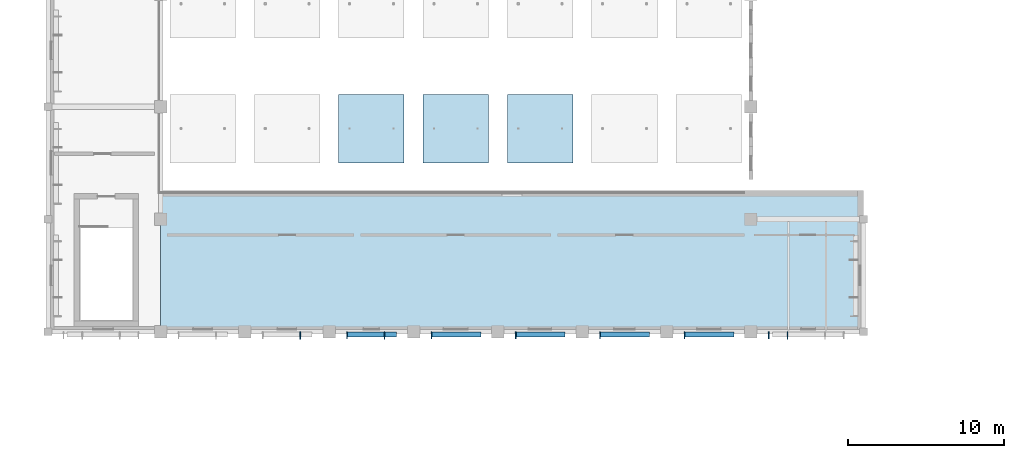
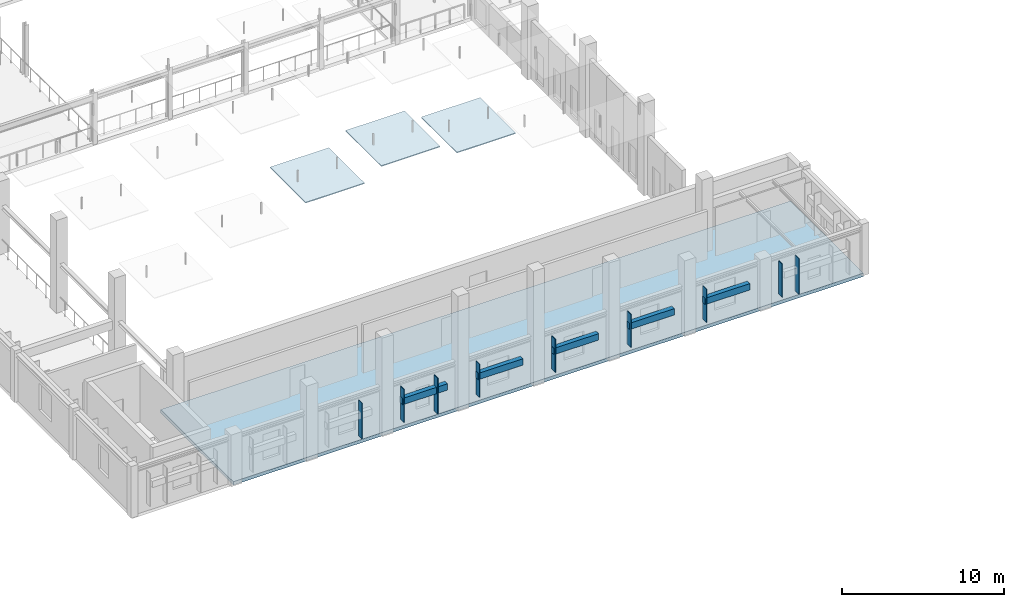
# One storey, part 12 of 44: 17 plates, 1 slab.
"""IFC4 building model written with IfcOpenShell, lengths in metres."""

from ifc_helpers import new_model, si_unit, direction, frame, origin, origin_2d, place, context, subcontext, project, spatial, polyline, rectangle, outline, extrude, material, layer, layer_set, type_object, element, save


model = new_model("IFC4")

# Units and contexts
model_context = context("Model", 3, precision=1e-05, world=origin(), true_north=direction((0.0, 1.0)))
body_context = subcontext(model_context, "Body", "Model", "MODEL_VIEW")
ifc_project = project(units=[si_unit("LENGTHUNIT", "METRE"), si_unit("AREAUNIT", "SQUARE_METRE"), si_unit("VOLUMEUNIT", "CUBIC_METRE"), si_unit("PLANEANGLEUNIT", "RADIAN"), si_unit("MASSUNIT", "GRAM", prefix="KILO")], contexts=[model_context])

# Site, building, storey
site_placement = place(None, origin())
site = spatial("IfcSite", under=ifc_project, at=site_placement, CompositionType="ELEMENT")
building_placement = place(site_placement, origin())
building = spatial("IfcBuilding", under=site, at=building_placement, Name="Tazoul Stagehouse", CompositionType="ELEMENT")
storey_placement = place(building_placement, frame((0.0, 0.0, 13.199951171875)))
storey = spatial("IfcBuildingStorey", under=building, at=storey_placement, Name="L03", CompositionType="ELEMENT", Elevation=13.199951171875)

# Plates
ifc_material_1 = material(Name="Acoustic Cedar Timber", Category="wood")
ifc_layer_1 = layer(ifc_material_1, 0.06494140625, Name="Acoustic Cedar Timber")
ifc_layer_set_1 = layer_set([ifc_layer_1], Name="Acoustic Cedar Timber")
plate_type_1 = type_object("IfcPlateType", Name="Curved Cedar Acoustic Reflector Cloud 65", PredefinedType="USERDEFINED", material=ifc_layer_set_1)
for number, where, z_axis, x_axis, name in (
    (1, (71.10009765625, 64.800048828125, 10.49072265625), (0.0, 0.0, 1.0), (1.0, 0.0, 0.0), "Auditorium Acoustic Reflector Cloud ACP-01 3.1"),
    (2, (76.5, 64.800048828125, 11.368896484375), (0.0, 0.0, 1.0), (1.0, 0.0, 0.0), "Auditorium Acoustic Reflector Cloud ACP-01 4.1"),
    (3, (81.89990234375, 64.800048828125, 10.49072265625), (0.0, 0.0, 1.0), (1.0, 0.0, 0.0), "Auditorium Acoustic Reflector Cloud ACP-01 5.1"),
):
    element("IfcPlate", number, at=place(storey_placement, frame(where, z_axis=z_axis, x_axis=x_axis)), inside=storey, type_object=plate_type_1, Name=name, ObjectType="ACOUSTIC PANEL", PredefinedType="USERDEFINED", context=body_context, shape_type="SweptSolid", body=[
        extrude(rectangle(XDim=4.199951171875, YDim=4.39990234375, at=origin_2d()), origin(), (0.0, 0.0, 1.0), 0.06494140625),
    ])
ifc_material_2 = material(Name="Anodised Bronze Aluminium 6063-T6", Category="aluminium")
ifc_layer_2 = layer(ifc_material_2, 0.449951171875, Name="Anodised Bronze Aluminium 6063-T6")
ifc_layer_set_2 = layer_set([ifc_layer_2], Name="Anodised Bronze Aluminium 6063-T6")
plate_type_2 = type_object("IfcPlateType", Name="Parametric Terracotta-Bronze Solar Fin 450x2500", PredefinedType="USERDEFINED", material=ifc_layer_set_2)
for number, where, z_axis, x_axis, name in (
    (4, (69.5400390625, 51.56494140625, 0.580078125), (0.0, 0.0, 1.0), (1.0, 0.0, 0.0), "L03 Parametric Solar Fin SFN-11 (WALL-V1-S-L03-S1-B4-01)"),
    (5, (74.93994140625, 51.56494140625, 0.580078125), (0.0, 0.0, 1.0), (1.0, 0.0, 0.0), "L03 Parametric Solar Fin SFN-11 (WALL-V1-S-L03-S1-B5-01)"),
    (6, (80.340087890625, 51.56494140625, 0.580078125), (0.0, 0.0, 1.0), (1.0, 0.0, 0.0), "L03 Parametric Solar Fin SFN-11 (WALL-V1-S-L03-S1-B6-01)"),
    (7, (85.739990234375, 51.56494140625, 0.580078125), (0.0, 0.0, 1.0), (1.0, 0.0, 0.0), "L03 Parametric Solar Fin SFN-11 (WALL-V1-S-L03-S1-B7-01)"),
    (8, (91.139892578125, 51.56494140625, 0.580078125), (0.0, 0.0, 1.0), (1.0, 0.0, 0.0), "L03 Parametric Solar Fin SFN-11 (WALL-V1-S-L03-S1-B8-01)"),
    (9, (96.5400390625, 51.56494140625, 0.580078125), (0.0, 0.0, 1.0), (1.0, 0.0, 0.0), "L03 Parametric Solar Fin SFN-11 (WALL-V1-S-L03-S1-B9-01)"),
):
    element("IfcPlate", number, at=place(storey_placement, frame(where, z_axis=z_axis, x_axis=x_axis)), inside=storey, type_object=plate_type_2, Name=name, ObjectType="SOLAR FIN", PredefinedType="USERDEFINED", context=body_context, shape_type="SweptSolid", body=[
        extrude(rectangle(XDim=0.044921875, YDim=0.449951171875, at=origin_2d()), origin(), (0.0, 0.0, 1.0), 2.5),
    ])
ifc_layer_3 = layer(ifc_material_2, 0.469970703125, Name="Anodised Bronze Aluminium 6063-T6")
ifc_layer_set_3 = layer_set([ifc_layer_3], Name="Anodised Bronze Aluminium 6063-T6")
plate_type_3 = type_object("IfcPlateType", Name="Parametric Terracotta-Bronze Solar Fin 470x2700", PredefinedType="USERDEFINED", material=ifc_layer_set_3)
for number, where, z_axis, x_axis, name in (
    (10, (66.5400390625, 51.554931640625, 0.3798828125), (0.0, 0.0, 1.0), (1.0, 0.0, 0.0), "L03 Parametric Solar Fin SFN-13 (WALL-V1-S-L03-S1-B3-03)"),
    (11, (71.93994140625, 51.554931640625, 0.3798828125), (0.0, 0.0, 1.0), (1.0, 0.0, 0.0), "L03 Parametric Solar Fin SFN-13 (WALL-V1-S-L03-S1-B4-03)"),
    (12, (97.739990234375, 51.554931640625, 0.3798828125), (0.0, 0.0, 1.0), (1.0, 0.0, 0.0), "L03 Parametric Solar Fin SFN-13 (WALL-V1-S-L03-S1-B9-02)"),
):
    element("IfcPlate", number, at=place(storey_placement, frame(where, z_axis=z_axis, x_axis=x_axis)), inside=storey, type_object=plate_type_3, Name=name, ObjectType="SOLAR FIN", PredefinedType="USERDEFINED", context=body_context, shape_type="SweptSolid", body=[
        extrude(rectangle(XDim=0.044921875, YDim=0.469970703125, at=origin_2d()), origin(), (0.0, 0.0, 1.0), 2.699951171875),
    ])
ifc_layer_4 = layer(ifc_material_2, 0.320068359375, Name="Anodised Bronze Aluminium 6063-T6")
ifc_layer_set_4 = layer_set([ifc_layer_4], Name="Anodised Bronze Aluminium 6063-T6")
plate_type_4 = type_object("IfcPlateType", Name="Sculpted Facade Spandrel Ribbon 3200x480", PredefinedType="USERDEFINED", material=ifc_layer_set_4)
for number, where, z_axis, x_axis, name in (
    (13, (71.10009765625, 51.6298828125, 1.840087890625), (0.0, 0.0, 1.0), (1.0, 0.0, 0.0), "L03 Sculpted Facade Spandrel Ribbon FRB-04 (WALL-V1-S-L03-S1-B4)"),
    (14, (76.5, 51.6298828125, 1.840087890625), (0.0, 0.0, 1.0), (1.0, 0.0, 0.0), "L03 Sculpted Facade Spandrel Ribbon FRB-04 (WALL-V1-S-L03-S1-B5)"),
    (15, (81.89990234375, 51.6298828125, 1.840087890625), (0.0, 0.0, 1.0), (1.0, 0.0, 0.0), "L03 Sculpted Facade Spandrel Ribbon FRB-04 (WALL-V1-S-L03-S1-B6)"),
    (16, (87.300048828125, 51.6298828125, 1.840087890625), (0.0, 0.0, 1.0), (1.0, 0.0, 0.0), "L03 Sculpted Facade Spandrel Ribbon FRB-04 (WALL-V1-S-L03-S1-B7)"),
    (17, (92.699951171875, 51.6298828125, 1.840087890625), (0.0, 0.0, 1.0), (1.0, 0.0, 0.0), "L03 Sculpted Facade Spandrel Ribbon FRB-04 (WALL-V1-S-L03-S1-B8)"),
):
    element("IfcPlate", number, at=place(storey_placement, frame(where, z_axis=z_axis, x_axis=x_axis)), inside=storey, type_object=plate_type_4, Name=name, ObjectType="FACADE RIBBON", PredefinedType="USERDEFINED", context=body_context, shape_type="SweptSolid", body=[
        extrude(rectangle(XDim=3.199951171875, YDim=0.320068359375, at=origin_2d()), origin(), (0.0, 0.0, 1.0), 0.47998046875),
    ])

# Slab
ifc_material_3 = material(Name="Concrete C35/45", Category="concrete")
ifc_layer_5 = layer(ifc_material_3, 0.25, Name="Concrete C35/45")
ifc_layer_set_5 = layer_set([ifc_layer_5], Name="Concrete C35/45")
slab_type = type_object("IfcSlabType", Name="Upper Gallery Slab 250", PredefinedType="FLOOR", material=ifc_layer_set_5)
slab_placement = place(storey_placement, frame((0.0, 0.0, -0.25)))
element("IfcSlab", 18, at=slab_placement, inside=storey, type_object=slab_type, Name="L03 Upper Gallery Slab 250 (V1)", PredefinedType="FLOOR", context=body_context, shape_type="SweptSolid", body=[
    extrude(outline(polyline([(57.60009765625, 51.800048828125), (57.60009765625, 60.800048828125), (102.60009765625, 60.800048828125), (102.60009765625, 51.800048828125), (57.60009765625, 51.800048828125)])), origin(), (0.0, 0.0, 1.0), 0.25),
])

save(model, "model.ifc")
